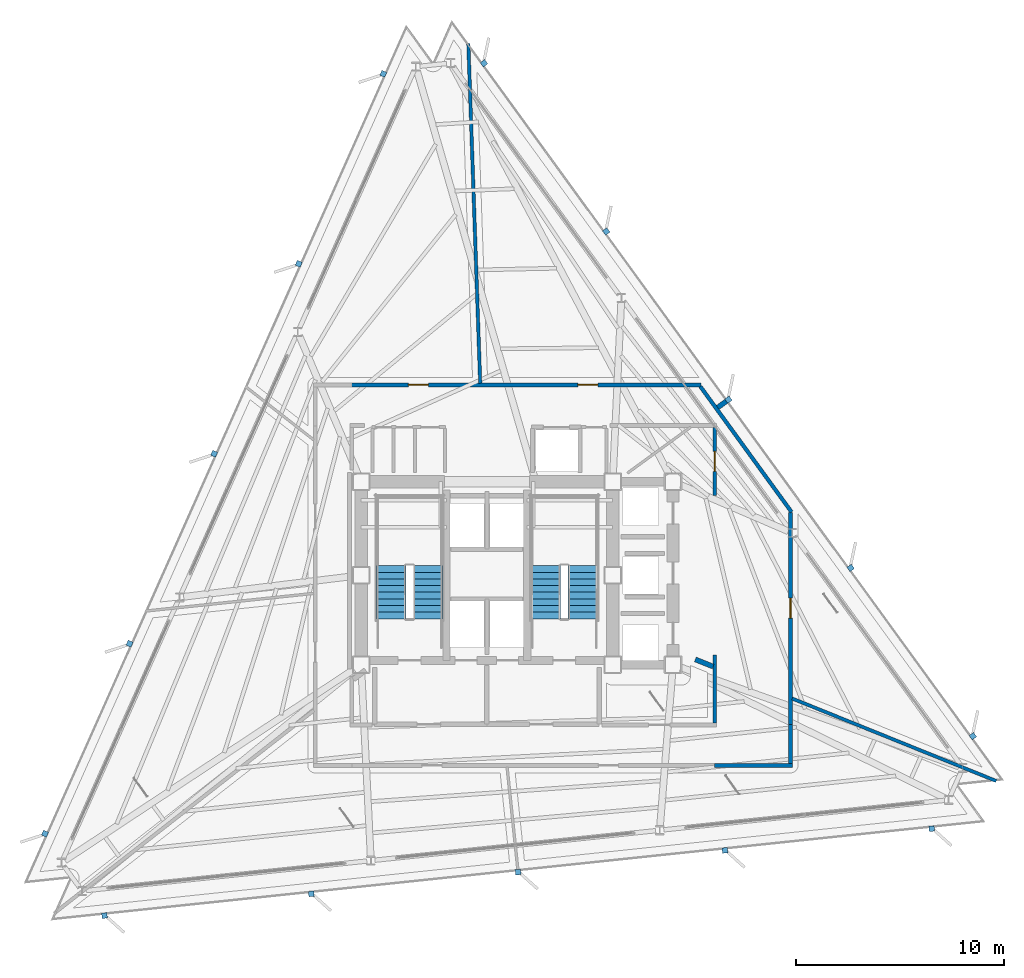
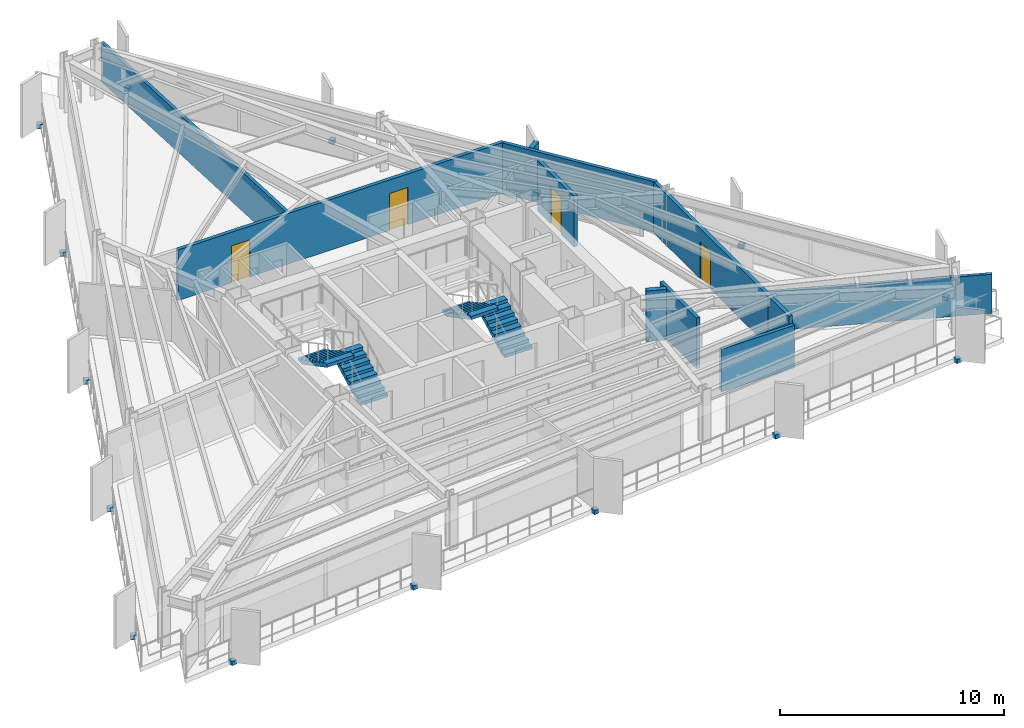
# One storey, part 9 of 12: 15 discrete accessories, 11 walls, 4 doors, 4 stair flights, 4 openings, 2 elements without a shape of their own.
"""IFC4 building model written with IfcOpenShell, lengths in metres."""

from ifc_helpers import new_model, si_unit, direction, frame, frame_2d, origin, origin_2d, place, context, subcontext, project, spatial, polyline, rectangle, outline, extrude, material, layer, layer_set, type_object, element, fill, aggregate, save


model = new_model("IFC4")

# Units and contexts
model_context = context("Model", 3, precision=1e-05, world=origin(), true_north=direction((0.0, 1.0)))
body_context = subcontext(model_context, "Body", "Model", "MODEL_VIEW")
ifc_project = project(units=[si_unit("LENGTHUNIT", "METRE"), si_unit("AREAUNIT", "SQUARE_METRE"), si_unit("VOLUMEUNIT", "CUBIC_METRE"), si_unit("PLANEANGLEUNIT", "RADIAN"), si_unit("MASSUNIT", "GRAM", prefix="KILO")], contexts=[model_context])

# Site, building, storey
site_placement = place(None, origin())
site = spatial("IfcSite", under=ifc_project, at=site_placement, CompositionType="ELEMENT")
building_placement = place(site_placement, origin())
building = spatial("IfcBuilding", under=site, at=building_placement, Name="Rocaltana Carrier Exchange", CompositionType="ELEMENT")
storey_placement = place(building_placement, frame((0.0, 0.0, 110.719970703125)))
storey = spatial("IfcBuildingStorey", under=building, at=storey_placement, Name="L34", CompositionType="ELEMENT", Elevation=110.719970703125)

# Walls
ifc_material_1 = material(Name="Double Acoustic Gypsum Partition", Category="gypsum")
ifc_layer_1 = layer(ifc_material_1, 0.159912109375)
ifc_layer_set_1 = layer_set([ifc_layer_1], Name="Double Acoustic Gypsum Partition")
wall_type_1 = type_object("IfcWallType", Name="Acoustic Studio Partition 160 EI60", PredefinedType="PARTITIONING", material=ifc_layer_set_1)
wall_1_placement = place(storey_placement, frame((14.679931640625, -5.93115234375, 0.0), z_axis=(0.0, 0.0, 1.0), x_axis=(0.927187622353, -0.374597267682, 0.0)))
element("IfcWall", 1, at=wall_1_placement, inside=storey, type_object=wall_type_1, Name="L34 Suite Divider Wall D6", PredefinedType="PARTITIONING", context=body_context, shape_type="SweptSolid", body=[
    extrude(rectangle(XDim=10.586181640625, YDim=0.159912109375, at=frame_2d((5.29296875, 0.0))), origin(), (0.0, 0.0, 1.0), 2.132080078125),
])
wall_2_placement = place(storey_placement, frame((-0.322265625, 9.22998046875, 0.0), z_axis=(0.0, 0.0, 1.0), x_axis=(-0.034907078812, 0.999390562217, 0.0)))
element("IfcWall", 2, at=wall_2_placement, inside=storey, type_object=wall_type_1, Name="L34 Suite Divider Wall D9", PredefinedType="PARTITIONING", context=body_context, shape_type="SweptSolid", body=[
    extrude(rectangle(XDim=16.35205078125, YDim=0.159912109375, at=frame_2d((8.176025390625, 0.0))), origin(), (0.0, 0.0, 1.0), 2.132080078125),
])

# Wall, openings, doors
ifc_material_2 = material(Name="Gypsum & Steel Stud Partition", Category="steel")
ifc_layer_2 = layer(ifc_material_2, 0.179931640625)
ifc_layer_set_2 = layer_set([ifc_layer_2], Name="Gypsum & Steel Stud Partition")
wall_type_2 = type_object("IfcWallType", Name="Corridor Fire Partition 180 EI60", PredefinedType="PARTITIONING", material=ifc_layer_set_2)
wall_3_placement = place(storey_placement, frame((-6.52001953125, 9.14990234375, 0.0), z_axis=(0.0, 0.0, 1.0), x_axis=(1.0, 0.0, 0.0)))
wall_3 = element("IfcWall", 3, at=wall_3_placement, inside=storey, type_object=wall_type_2, Name="L34 Corridor Partition 6", PredefinedType="PARTITIONING", context=body_context, shape_type="SweptSolid", body=[
    extrude(rectangle(XDim=16.820068359375, YDim=0.179931640625, at=frame_2d((8.41015625, 0.0))), origin(), (0.0, 0.0, 1.0), 2.762939453125),
])
opening_1_placement = place(wall_3_placement, frame((10.8984375, 0.0, 0.0)))
opening_1 = element("IfcOpeningElement", 4, at=opening_1_placement, cuts=wall_3, Name="Opening D-RM098", PredefinedType="OPENING", context=body_context, shape_type="SweptSolid", body=[
    extrude(rectangle(XDim=0.9599609375, YDim=2.02001953125, at=frame_2d((0.47998046875, 1.010009765625))), frame((0.0, 0.099853515625, 0.0), z_axis=(0.0, -1.0, 0.0), x_axis=(1.0, 0.0, 0.0)), (0.0, 0.0, 1.0), 0.199951171875),
])
opening_2_placement = place(wall_3_placement, frame((2.7490234375, 0.0, 0.0)))
opening_2 = element("IfcOpeningElement", 5, at=opening_2_placement, cuts=wall_3, Name="Opening D-RM098", PredefinedType="OPENING", context=body_context, shape_type="SweptSolid", body=[
    extrude(rectangle(XDim=0.9599609375, YDim=2.02001953125, at=frame_2d((0.47998046875, 1.010009765625))), frame((0.0, 0.099853515625, 0.0), z_axis=(0.0, -1.0, 0.0), x_axis=(1.0, 0.0, 0.0)), (0.0, 0.0, 1.0), 0.199951171875),
])
ifc_material_3 = material(Name="Engineered Hardwood Timber", Category="wood")
door_type = type_object("IfcDoorType", Name="Workspace Single Door 960x2020", OperationType="NOTDEFINED", PredefinedType="DOOR", material=ifc_material_3)
door_1_placement = place(opening_1_placement, origin())
door_1 = element("IfcDoor", 6, at=door_1_placement, inside=storey, type_object=door_type, Name="L34 Quiet Focus Lounge Entrance Door", OperationType="SINGLE_SWING_RIGHT", OverallHeight=2.02001953125, OverallWidth=0.9599609375, PredefinedType="DOOR", context=body_context, shape_type="SweptSolid", body=[
    extrude(rectangle(XDim=0.9599609375, YDim=2.02001953125, at=frame_2d((0.47998046875, 1.010009765625))), frame((0.0, 0.02490234375, 0.0), z_axis=(0.0, -1.0, 0.0), x_axis=(1.0, 0.0, 0.0)), (0.0, 0.0, 1.0), 0.050048828125),
])
fill(opening_1, door_1)
door_2_placement = place(opening_2_placement, origin())
door_2 = element("IfcDoor", 7, at=door_2_placement, inside=storey, type_object=door_type, Name="L34 Cloud Architecture Office Entrance Door", OperationType="SINGLE_SWING_LEFT", OverallHeight=2.02001953125, OverallWidth=0.9599609375, PredefinedType="DOOR", context=body_context, shape_type="SweptSolid", body=[
    extrude(rectangle(XDim=0.9599609375, YDim=2.02001953125, at=frame_2d((0.47998046875, 1.010009765625))), frame((0.0, 0.02490234375, 0.0), z_axis=(0.0, -1.0, 0.0), x_axis=(1.0, 0.0, 0.0)), (0.0, 0.0, 1.0), 0.050048828125),
])
fill(opening_2, door_2)

# Wall
wall_4_placement = place(storey_placement, frame((10.262939453125, 9.0771484375, 0.0), z_axis=(0.0, 0.0, 1.0), x_axis=(0.587780951295, -0.809020119215, 0.0)))
element("IfcWall", 8, at=wall_4_placement, inside=storey, type_object=wall_type_2, Name="L34 Corridor Partition 7", PredefinedType="PARTITIONING", context=body_context, shape_type="SweptSolid", body=[
    extrude(rectangle(XDim=7.468505859375, YDim=0.179931640625, at=frame_2d((3.734375, 0.0))), origin(), (0.0, 0.0, 1.0), 2.762939453125),
])

# Wall, opening, door
wall_5_placement = place(storey_placement, frame((14.60009765625, 3.017578125, 0.0), z_axis=(0.0, 0.0, 1.0), x_axis=(0.0, -1.0, 0.0)))
wall_5 = element("IfcWall", 9, at=wall_5_placement, inside=storey, type_object=wall_type_2, Name="L34 Corridor Partition 8", PredefinedType="PARTITIONING", context=body_context, shape_type="SweptSolid", body=[
    extrude(rectangle(XDim=10.237548828125, YDim=0.179931640625, at=frame_2d((5.11865234375, 0.0))), origin(), (0.0, 0.0, 1.0), 2.762939453125),
])
opening_3_placement = place(wall_5_placement, frame((4.123779296875, 0.0, 0.0)))
opening_3 = element("IfcOpeningElement", 10, at=opening_3_placement, cuts=wall_5, Name="Opening D-RM098", PredefinedType="OPENING", context=body_context, shape_type="SweptSolid", body=[
    extrude(rectangle(XDim=0.9599609375, YDim=2.02001953125, at=frame_2d((0.47998046875, 1.010009765625))), frame((0.0, 0.099853515625, 0.0), z_axis=(0.0, -1.0, 0.0), x_axis=(1.0, 0.0, 0.0)), (0.0, 0.0, 1.0), 0.199951171875),
])
door_3_placement = place(opening_3_placement, origin())
door_3 = element("IfcDoor", 11, at=door_3_placement, inside=storey, type_object=door_type, Name="L34 Peering Conference Room Entrance Door", OperationType="SINGLE_SWING_RIGHT", OverallHeight=2.02001953125, OverallWidth=0.9599609375, PredefinedType="DOOR", context=body_context, shape_type="SweptSolid", body=[
    extrude(rectangle(XDim=0.9599609375, YDim=2.02001953125, at=frame_2d((0.47998046875, 1.010009765625))), frame((0.0, 0.02490234375, 0.0), z_axis=(0.0, -1.0, 0.0), x_axis=(1.0, 0.0, 0.0)), (0.0, 0.0, 1.0), 0.050048828125),
])
fill(opening_3, door_3)

# Walls
wall_6_placement = place(storey_placement, frame((14.60009765625, -7.179931640625, 0.0), z_axis=(0.0, 0.0, 1.0), x_axis=(0.0, -1.0, 0.0)))
element("IfcWall", 12, at=wall_6_placement, inside=storey, type_object=wall_type_2, Name="L34 Corridor Partition 9", PredefinedType="PARTITIONING", context=body_context, shape_type="SweptSolid", body=[
    extrude(rectangle(XDim=1.880126953125, YDim=0.179931640625, at=frame_2d((0.93994140625, 0.0))), origin(), (0.0, 0.0, 1.0), 2.762939453125),
])
wall_7_placement = place(storey_placement, frame((14.68994140625, -9.14990234375, 0.0), z_axis=(0.0, 0.0, 1.0), x_axis=(-1.0, 0.0, 0.0)))
element("IfcWall", 13, at=wall_7_placement, inside=storey, type_object=wall_type_2, Name="L34 Corridor Partition 10", PredefinedType="PARTITIONING", context=body_context, shape_type="SweptSolid", body=[
    extrude(rectangle(XDim=3.75, YDim=0.179931640625, at=frame_2d((1.875, 0.0))), origin(), (0.0, 0.0, 1.0), 2.330078125),
])
wall_8_placement = place(storey_placement, frame((10.9599609375, -7.110107421875, 0.0), z_axis=(0.0, 0.0, 1.0), x_axis=(0.0, 1.0, 0.0)))
element("IfcWall", 14, at=wall_8_placement, inside=storey, type_object=wall_type_2, Name="L34 Corridor Partition 13", PredefinedType="PARTITIONING", context=body_context, shape_type="SweptSolid", body=[
    extrude(rectangle(XDim=3.2705078125, YDim=0.179931640625, at=frame_2d((1.63525390625, 0.0))), origin(), (0.0, 0.0, 1.0), 2.762939453125),
])

# Wall, opening, door
wall_9_placement = place(storey_placement, frame((10.9599609375, 3.839599609375, 0.0), z_axis=(0.0, 0.0, 1.0), x_axis=(0.0, 1.0, 0.0)))
wall_9 = element("IfcWall", 15, at=wall_9_placement, inside=storey, type_object=wall_type_2, Name="L34 Corridor Partition 14", PredefinedType="PARTITIONING", context=body_context, shape_type="SweptSolid", body=[
    extrude(rectangle(XDim=3.2705078125, YDim=0.179931640625, at=frame_2d((1.63525390625, 0.0))), origin(), (0.0, 0.0, 1.0), 2.762939453125),
])
opening_4_placement = place(wall_9_placement, frame((1.1552734375, 0.0, 0.0)))
opening_4 = element("IfcOpeningElement", 16, at=opening_4_placement, cuts=wall_9, Name="Opening D-RM098", PredefinedType="OPENING", context=body_context, shape_type="SweptSolid", body=[
    extrude(rectangle(XDim=0.9599609375, YDim=2.02001953125, at=frame_2d((0.47998046875, 1.010009765625))), frame((0.0, 0.099853515625, 0.0), z_axis=(0.0, -1.0, 0.0), x_axis=(1.0, 0.0, 0.0)), (0.0, 0.0, 1.0), 0.199951171875),
])
door_4_placement = place(opening_4_placement, origin())
door_4 = element("IfcDoor", 17, at=door_4_placement, inside=storey, type_object=door_type, Name="L34 Network Operations Office Entrance Door", OperationType="SINGLE_SWING_LEFT", OverallHeight=2.02001953125, OverallWidth=0.9599609375, PredefinedType="DOOR", context=body_context, shape_type="SweptSolid", body=[
    extrude(rectangle(XDim=0.9599609375, YDim=2.02001953125, at=frame_2d((0.47998046875, 1.010009765625))), frame((0.0, 0.02490234375, 0.0), z_axis=(0.0, -1.0, 0.0), x_axis=(1.0, 0.0, 0.0)), (0.0, 0.0, 1.0), 0.050048828125),
])
fill(opening_4, door_4)

# Walls
ifc_material_4 = material(Name="Acoustic Calcium Silicate Partition", Category="gypsum")
ifc_layer_3 = layer(ifc_material_4, 0.239990234375)
ifc_layer_set_3 = layer_set([ifc_layer_3], Name="Acoustic Calcium Silicate Partition")
wall_type_3 = type_object("IfcWallType", Name="Heavy Lab Partition 240 EI90", PredefinedType="PARTITIONING", material=ifc_layer_set_3)
wall_10_placement = place(storey_placement, frame((10.024169921875, -4.050048828125, 0.0), z_axis=(0.0, 0.0, 1.0), x_axis=(0.927194137639, -0.374581140912, 0.0)))
element("IfcWall", 18, at=wall_10_placement, inside=storey, type_object=wall_type_3, Name="L34 Suite Divider Wall D5", PredefinedType="PARTITIONING", context=body_context, shape_type="SweptSolid", body=[
    extrude(rectangle(XDim=0.9228515625, YDim=0.239990234375, at=frame_2d((0.46142578125, 0.0))), origin(), (0.0, 0.0, 1.0), 2.762939453125),
])
wall_11_placement = place(storey_placement, frame((11.098388671875, 8.0634765625, 0.0), z_axis=(0.0, 0.0, 1.0), x_axis=(0.809093866449, 0.587679432408, 0.0)))
element("IfcWall", 19, at=wall_11_placement, inside=storey, type_object=wall_type_3, Name="L34 Suite Divider Wall D8", PredefinedType="PARTITIONING", context=body_context, shape_type="SweptSolid", body=[
    extrude(rectangle(XDim=0.58984375, YDim=0.239990234375, at=frame_2d((0.294921875, 0.0))), origin(), (0.0, 0.0, 1.0), 2.762939453125),
])

# Stair, stair flights
ifc_material_5 = material(Name="Precast concrete C45/55", Category="concrete")
stair_type = type_object("IfcStairType", Name="Standard Dog-Leg Stair 160", PredefinedType="HALF_TURN_STAIR", material=ifc_material_5)
stair_1_placement = place(storey_placement, origin())
stair_1 = element("IfcStair", 20, at=stair_1_placement, inside=storey, type_object=stair_type, Name="L34 Core West Exit Stair ST-1", PredefinedType="HALF_TURN_STAIR")
ifc_material_6 = material(Name="Precast concrete C45/55", Category="concrete")
stair_flight_type = type_object("IfcStairFlightType", Name="Precast Stair Flight 160", PredefinedType="STRAIGHT", material=ifc_material_6)
stair_flight_1_placement = place(storey_placement, frame((-2.840087890625, -2.10009765625, 0.0), z_axis=(0.0, 0.0, 1.0), x_axis=(0.0, 1.0, 0.0)))
stair_flight_1 = element("IfcStairFlight", 21, at=stair_flight_1_placement, type_object=stair_flight_type, Name="ST-1 flight 1", NumberOfRisers=9, NumberOfTreads=8, PredefinedType="STRAIGHT", RiserHeight=0.168888889, TreadLength=0.32, context=body_context, shape_type="SweptSolid", body=[
    extrude(outline(polyline([(0.0, 0.0), (0.0, 0.1689453125), (0.320068359375, 0.1689453125), (0.320068359375, 0.337890625), (0.639892578125, 0.337890625), (0.639892578125, 0.506591796875), (0.9599609375, 0.506591796875), (0.9599609375, 0.675537109375), (1.280029296875, 0.675537109375), (1.280029296875, 0.844482421875), (1.60009765625, 0.844482421875), (1.60009765625, 1.013427734375), (1.919921875, 1.013427734375), (1.919921875, 1.18212890625), (2.239990234375, 1.18212890625), (2.239990234375, 1.35107421875), (2.56005859375, 1.35107421875), (2.56005859375, 1.52001953125), (2.56005859375, 1.17041015625), (0.342529296875, 0.0), (0.0, 0.0)])), frame((0.0, 0.699951171875, 0.0), z_axis=(0.0, -1.0, 0.0), x_axis=(1.0, 0.0, 0.0)), (0.0, 0.0, 1.0), 1.39990234375),
])
stair_flight_2_placement = place(storey_placement, frame((-4.60009765625, 0.4599609375, 1.52001953125), z_axis=(0.0, 0.0, 1.0), x_axis=(0.0, -1.0, 0.0)))
stair_flight_2 = element("IfcStairFlight", 22, at=stair_flight_2_placement, type_object=stair_flight_type, Name="ST-1 flight 2", NumberOfRisers=9, NumberOfTreads=8, PredefinedType="STRAIGHT", RiserHeight=0.168888889, TreadLength=0.32, context=body_context, shape_type="SweptSolid", body=[
    extrude(outline(polyline([(0.0, 0.0), (0.0, 0.1689453125), (0.320068359375, 0.1689453125), (0.320068359375, 0.337890625), (0.639892578125, 0.337890625), (0.639892578125, 0.506591796875), (0.9599609375, 0.506591796875), (0.9599609375, 0.675537109375), (1.280029296875, 0.675537109375), (1.280029296875, 0.844482421875), (1.60009765625, 0.844482421875), (1.60009765625, 1.013427734375), (1.919921875, 1.013427734375), (1.919921875, 1.18212890625), (2.239990234375, 1.18212890625), (2.239990234375, 1.35107421875), (2.56005859375, 1.35107421875), (2.56005859375, 1.52001953125), (2.56005859375, 1.17041015625), (0.342529296875, 0.0), (0.0, 0.0)])), frame((0.0, 0.699951171875, 0.0), z_axis=(0.0, -1.0, 0.0), x_axis=(1.0, 0.0, 0.0)), (0.0, 0.0, 1.0), 1.39990234375),
])
aggregate(stair_1, [stair_flight_1, stair_flight_2])

stair_2_placement = place(storey_placement, origin())
stair_2 = element("IfcStair", 23, at=stair_2_placement, inside=storey, type_object=stair_type, Name="L34 Core East Exit Stair ST-2", PredefinedType="HALF_TURN_STAIR")
stair_flight_3_placement = place(storey_placement, frame((4.60009765625, -2.10009765625, 0.0), z_axis=(0.0, 0.0, 1.0), x_axis=(0.0, 1.0, 0.0)))
stair_flight_3 = element("IfcStairFlight", 24, at=stair_flight_3_placement, type_object=stair_flight_type, Name="ST-2 flight 1", NumberOfRisers=9, NumberOfTreads=8, PredefinedType="STRAIGHT", RiserHeight=0.168888889, TreadLength=0.32, context=body_context, shape_type="SweptSolid", body=[
    extrude(outline(polyline([(0.0, 0.0), (0.0, 0.1689453125), (0.320068359375, 0.1689453125), (0.320068359375, 0.337890625), (0.639892578125, 0.337890625), (0.639892578125, 0.506591796875), (0.9599609375, 0.506591796875), (0.9599609375, 0.675537109375), (1.280029296875, 0.675537109375), (1.280029296875, 0.844482421875), (1.60009765625, 0.844482421875), (1.60009765625, 1.013427734375), (1.919921875, 1.013427734375), (1.919921875, 1.18212890625), (2.239990234375, 1.18212890625), (2.239990234375, 1.35107421875), (2.56005859375, 1.35107421875), (2.56005859375, 1.52001953125), (2.56005859375, 1.17041015625), (0.342529296875, 0.0), (0.0, 0.0)])), frame((0.0, 0.699951171875, 0.0), z_axis=(0.0, -1.0, 0.0), x_axis=(1.0, 0.0, 0.0)), (0.0, 0.0, 1.0), 1.39990234375),
])
stair_flight_4_placement = place(storey_placement, frame((2.840087890625, 0.4599609375, 1.52001953125), z_axis=(0.0, 0.0, 1.0), x_axis=(0.0, -1.0, 0.0)))
stair_flight_4 = element("IfcStairFlight", 25, at=stair_flight_4_placement, type_object=stair_flight_type, Name="ST-2 flight 2", NumberOfRisers=9, NumberOfTreads=8, PredefinedType="STRAIGHT", RiserHeight=0.168888889, TreadLength=0.32, context=body_context, shape_type="SweptSolid", body=[
    extrude(outline(polyline([(0.0, 0.0), (0.0, 0.1689453125), (0.320068359375, 0.1689453125), (0.320068359375, 0.337890625), (0.639892578125, 0.337890625), (0.639892578125, 0.506591796875), (0.9599609375, 0.506591796875), (0.9599609375, 0.675537109375), (1.280029296875, 0.675537109375), (1.280029296875, 0.844482421875), (1.60009765625, 0.844482421875), (1.60009765625, 1.013427734375), (1.919921875, 1.013427734375), (1.919921875, 1.18212890625), (2.239990234375, 1.18212890625), (2.239990234375, 1.35107421875), (2.56005859375, 1.35107421875), (2.56005859375, 1.52001953125), (2.56005859375, 1.17041015625), (0.342529296875, 0.0), (0.0, 0.0)])), frame((0.0, 0.699951171875, 0.0), z_axis=(0.0, -1.0, 0.0), x_axis=(1.0, 0.0, 0.0)), (0.0, 0.0, 1.0), 1.39990234375),
])
aggregate(stair_2, [stair_flight_3, stair_flight_4])

# Discrete accessories
ifc_material_7 = material(Name="Brushed Architectural Stainless Metal", Category="steel")
ifc_layer_4 = layer(ifc_material_7, 0.219970703125)
ifc_layer_set_4 = layer_set([ifc_layer_4], Name="Brushed Architectural Stainless Metal")
discrete_accessory_type = type_object("IfcDiscreteAccessoryType", Name="Stainless Fin Slab-Edge Bracket 260x260x220", PredefinedType="BRACKET", material=ifc_layer_set_4)
for number, where, z_axis, x_axis, name in (
    (26, (23.371826171875, -7.74072265625, -0.2099609375), (0.0, 0.0, 1.0), (-0.587785252292, 0.809016994375, 0.0), "L34 Sandstone Fin Edge Bracket F1-01"),
    (27, (17.493896484375, 0.349365234375, -0.2099609375), (0.0, 0.0, 1.0), (-0.587785252292, 0.809016994375, 0.0), "L34 Sandstone Fin Edge Bracket F1-02"),
    (28, (11.6162109375, 8.439697265625, -0.2099609375), (0.0, 0.0, 1.0), (-0.587785252292, 0.809016994375, 0.0), "L34 Sandstone Fin Edge Bracket F1-03"),
    (29, (5.73828125, 16.52978515625, -0.2099609375), (0.0, 0.0, 1.0), (-0.587785252292, 0.809016994375, 0.0), "L34 Sandstone Fin Edge Bracket F1-04"),
    (30, (-0.1396484375, 24.619873046875, -0.2099609375), (0.0, 0.0, 1.0), (-0.587785252292, 0.809016994375, 0.0), "L34 Sandstone Fin Edge Bracket F1-05"),
    (31, (-4.982177734375, 24.111083984375, -0.2099609375), (0.0, 0.0, 1.0), (-0.406736643076, -0.913545457643, 0.0), "L34 Sandstone Fin Edge Bracket F2-01"),
    (32, (-9.049560546875, 14.9755859375, -0.2099609375), (0.0, 0.0, 1.0), (-0.406736643076, -0.913545457643, 0.0), "L34 Sandstone Fin Edge Bracket F2-02"),
    (33, (-13.116943359375, 5.840087890625, -0.2099609375), (0.0, 0.0, 1.0), (-0.406736643076, -0.913545457643, 0.0), "L34 Sandstone Fin Edge Bracket F2-03"),
    (34, (-17.184326171875, -3.29541015625, -0.2099609375), (0.0, 0.0, 1.0), (-0.406736643076, -0.913545457643, 0.0), "L34 Sandstone Fin Edge Bracket F2-04"),
    (35, (-21.251708984375, -12.430908203125, -0.2099609375), (0.0, 0.0, 1.0), (-0.406736643076, -0.913545457643, 0.0), "L34 Sandstone Fin Edge Bracket F2-05"),
    (36, (-18.3896484375, -16.3701171875, -0.2099609375), (0.0, 0.0, 1.0), (0.994521895368, 0.104528463268, 0.0), "L34 Sandstone Fin Edge Bracket F3-01"),
    (37, (-8.4443359375, -15.324951171875, -0.2099609375), (0.0, 0.0, 1.0), (0.994521895368, 0.104528463268, 0.0), "L34 Sandstone Fin Edge Bracket F3-02"),
    (38, (1.500732421875, -14.279541015625, -0.2099609375), (0.0, 0.0, 1.0), (0.994521895368, 0.104528463268, 0.0), "L34 Sandstone Fin Edge Bracket F3-03"),
    (39, (11.446044921875, -13.234375, -0.2099609375), (0.0, 0.0, 1.0), (0.994521895368, 0.104528463268, 0.0), "L34 Sandstone Fin Edge Bracket F3-04"),
    (40, (21.391357421875, -12.189208984375, -0.2099609375), (0.0, 0.0, 1.0), (0.994521895368, 0.104528463268, 0.0), "L34 Sandstone Fin Edge Bracket F3-05"),
):
    element("IfcDiscreteAccessory", number, at=place(storey_placement, frame(where, z_axis=z_axis, x_axis=x_axis)), inside=storey, type_object=discrete_accessory_type, Name=name, PredefinedType="BRACKET", context=body_context, shape_type="SweptSolid", body=[
        extrude(rectangle(XDim=0.260009765625, YDim=0.260009765625, at=origin_2d()), origin(), (0.0, 0.0, 1.0), 0.219970703125),
    ])

save(model, "model.ifc")
